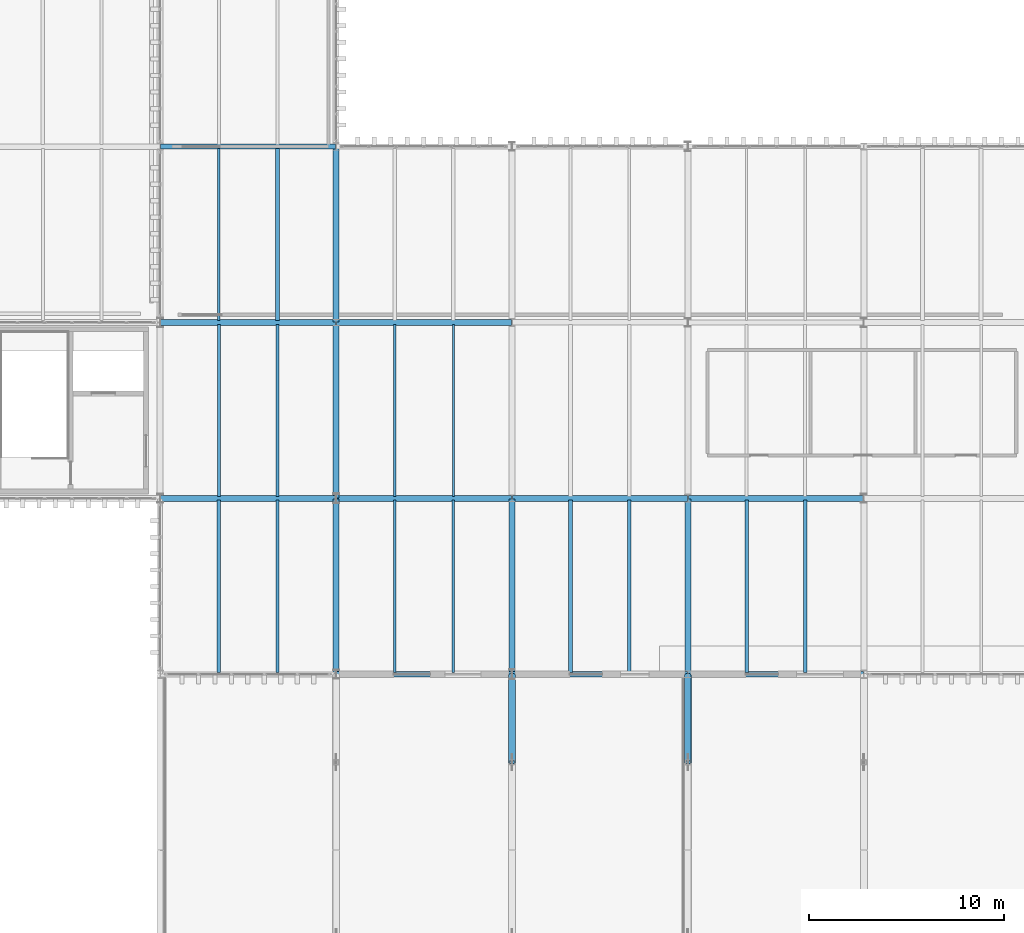
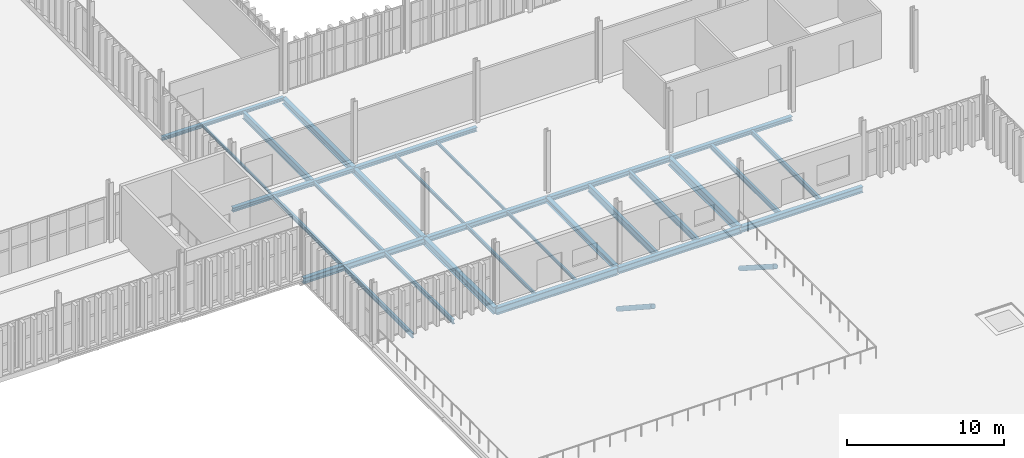
# One storey, part 114 of 196: 29 beams, 2 members.
"""IFC4 building model written with IfcOpenShell, lengths in metres."""

from ifc_helpers import new_model, si_unit, direction, frame, origin, origin_2d, place, context, subcontext, project, spatial, hollow_circle, i_section, extrude, material, material_profile, profile_set, type_object, element, save


model = new_model("IFC4")

# Units and contexts
model_context = context("Model", 3, precision=1e-05, world=origin(), true_north=direction((0.0, 1.0)))
body_context = subcontext(model_context, "Body", "Model", "MODEL_VIEW")
ifc_project = project(units=[si_unit("LENGTHUNIT", "METRE"), si_unit("AREAUNIT", "SQUARE_METRE"), si_unit("VOLUMEUNIT", "CUBIC_METRE"), si_unit("PLANEANGLEUNIT", "RADIAN"), si_unit("MASSUNIT", "GRAM", prefix="KILO")], contexts=[model_context])

# Site, building, storey
site_placement = place(None, origin())
site = spatial("IfcSite", under=ifc_project, at=site_placement, CompositionType="ELEMENT")
building_placement = place(site_placement, origin())
building = spatial("IfcBuilding", under=site, at=building_placement, Name="Barlavento Convention Centre", CompositionType="ELEMENT")
storey_placement = place(building_placement, frame((0.0, 0.0, 18.0)))
storey = spatial("IfcBuildingStorey", under=building, at=storey_placement, Name="L03", CompositionType="ELEMENT", Elevation=18.0)

# Beams
ifc_material = material(Name="Steel S355", Category="steel")
ifc_material_profile_1 = material_profile(ifc_material, i_section(OverallWidth=0.110107421875, OverallDepth=0.219970703125, WebThickness=0.005859375, FlangeThickness=0.00927734375, FilletRadius=0.011962890625, at=origin_2d()), Name="IPE 220")
ifc_profile_set_1 = profile_set([ifc_material_profile_1], Name="Steel S355")
beam_type_1 = type_object("IfcBeamType", Name="STR-BM-JST-IPE220", PredefinedType="JOIST", material=ifc_profile_set_1)
for number, where, z_axis, x_axis, name in (
    (1, (141.0, 45.094970703125, -0.5), (0.0, 1.0, 0.0), (-1.0, 0.0, 0.0), "L03 composite floor joist SJ10"),
    (2, (129.0, 54.094970703125, -0.5), (0.0, 1.0, 0.0), (-1.0, 0.0, 0.0), "L03 composite floor joist SJ10"),
):
    element("IfcBeam", number, at=place(storey_placement, frame(where, z_axis=z_axis, x_axis=x_axis)), inside=storey, type_object=beam_type_1, Name=name, PredefinedType="JOIST", context=body_context, shape_type="SweptSolid", body=[
        extrude(i_section(OverallWidth=0.110107421875, OverallDepth=0.219970703125, WebThickness=0.005859375, FlangeThickness=0.00927734375, FilletRadius=0.011962890625, at=origin_2d()), origin(), (0.0, 0.0, 1.0), 8.81005859375),
    ])
ifc_material_profile_2 = material_profile(ifc_material, i_section(OverallWidth=0.1201171875, OverallDepth=0.239990234375, WebThickness=0.006103515625, FlangeThickness=0.009765625, FilletRadius=0.014892578125, at=origin_2d()), Name="IPE 240")
ifc_profile_set_2 = profile_set([ifc_material_profile_2], Name="Steel S355")
beam_type_2 = type_object("IfcBeamType", Name="STR-BM-JST-IPE240", PredefinedType="JOIST", material=ifc_profile_set_2)
for number, where, z_axis, x_axis, name in (
    (3, (141.0, 36.094970703125, -0.510009765625), (0.0, 1.0, 0.0), (-1.0, 0.0, 0.0), "L03 composite floor joist SJ09"),
    (4, (138.0, 45.094970703125, -0.510009765625), (0.0, 1.0, 0.0), (-1.0, 0.0, 0.0), "L03 composite floor joist SJ09"),
):
    element("IfcBeam", number, at=place(storey_placement, frame(where, z_axis=z_axis, x_axis=x_axis)), inside=storey, type_object=beam_type_2, Name=name, PredefinedType="JOIST", context=body_context, shape_type="SweptSolid", body=[
        extrude(i_section(OverallWidth=0.1201171875, OverallDepth=0.239990234375, WebThickness=0.006103515625, FlangeThickness=0.009765625, FilletRadius=0.014892578125, at=origin_2d()), origin(), (0.0, 0.0, 1.0), 8.81005859375),
    ])
ifc_material_profile_3 = material_profile(ifc_material, i_section(OverallWidth=0.135009765625, OverallDepth=0.27001953125, WebThickness=0.006591796875, FlangeThickness=0.01025390625, FilletRadius=0.014892578125, at=origin_2d()), Name="IPE 270")
ifc_profile_set_3 = profile_set([ifc_material_profile_3], Name="Steel S355")
beam_type_3 = type_object("IfcBeamType", Name="STR-BM-JST-IPE270", PredefinedType="JOIST", material=ifc_profile_set_3)
beam_1_placement = place(storey_placement, frame((138.0, 36.094970703125, -0.52490234375), z_axis=(0.0, 1.0, 0.0), x_axis=(-1.0, 0.0, 0.0)))
element("IfcBeam", 5, at=beam_1_placement, inside=storey, type_object=beam_type_3, Name="L03 composite floor joist SJ08", PredefinedType="JOIST", context=body_context, shape_type="SweptSolid", body=[
    extrude(i_section(OverallWidth=0.135009765625, OverallDepth=0.27001953125, WebThickness=0.006591796875, FlangeThickness=0.01025390625, FilletRadius=0.014892578125, at=origin_2d()), origin(), (0.0, 0.0, 1.0), 8.81005859375),
])
ifc_material_profile_4 = material_profile(ifc_material, i_section(OverallWidth=0.14990234375, OverallDepth=0.300048828125, WebThickness=0.007080078125, FlangeThickness=0.0107421875, FilletRadius=0.014892578125, at=origin_2d()), Name="IPE 300")
ifc_profile_set_4 = profile_set([ifc_material_profile_4], Name="Steel S355")
beam_type_4 = type_object("IfcBeamType", Name="STR-BM-JST-IPE300", PredefinedType="JOIST", material=ifc_profile_set_4)
beam_2_placement = place(storey_placement, frame((132.0, 45.094970703125, -0.5400390625), z_axis=(0.0, 1.0, 0.0), x_axis=(-1.0, 0.0, 0.0)))
element("IfcBeam", 6, at=beam_2_placement, inside=storey, type_object=beam_type_4, Name="L03 composite floor joist SJ07", PredefinedType="JOIST", context=body_context, shape_type="SweptSolid", body=[
    extrude(i_section(OverallWidth=0.14990234375, OverallDepth=0.300048828125, WebThickness=0.007080078125, FlangeThickness=0.0107421875, FilletRadius=0.014892578125, at=origin_2d()), origin(), (0.0, 0.0, 1.0), 8.81005859375),
])
ifc_material_profile_5 = material_profile(ifc_material, i_section(OverallWidth=0.159912109375, OverallDepth=0.330078125, WebThickness=0.007568359375, FlangeThickness=0.011474609375, FilletRadius=0.01806640625, at=origin_2d()), Name="IPE 330")
ifc_profile_set_5 = profile_set([ifc_material_profile_5], Name="Steel S355")
beam_type_5 = type_object("IfcBeamType", Name="STR-BM-JST-IPE330", PredefinedType="JOIST", material=ifc_profile_set_5)
for number, where, z_axis, x_axis, name in (
    (7, (132.0, 36.094970703125, -0.554931640625), (0.0, 1.0, 0.0), (-1.0, 0.0, 0.0), "L03 composite floor joist SJ06"),
    (8, (129.0, 45.094970703125, -0.554931640625), (0.0, 1.0, 0.0), (-1.0, 0.0, 0.0), "L03 composite floor joist SJ06"),
):
    element("IfcBeam", number, at=place(storey_placement, frame(where, z_axis=z_axis, x_axis=x_axis)), inside=storey, type_object=beam_type_5, Name=name, PredefinedType="JOIST", context=body_context, shape_type="SweptSolid", body=[
        extrude(i_section(OverallWidth=0.159912109375, OverallDepth=0.330078125, WebThickness=0.007568359375, FlangeThickness=0.011474609375, FilletRadius=0.01806640625, at=origin_2d()), origin(), (0.0, 0.0, 1.0), 8.81005859375),
    ])
ifc_material_profile_6 = material_profile(ifc_material, i_section(OverallWidth=0.169921875, OverallDepth=0.360107421875, WebThickness=0.008056640625, FlangeThickness=0.0126953125, FilletRadius=0.01806640625, at=origin_2d()), Name="IPE 360")
ifc_profile_set_6 = profile_set([ifc_material_profile_6], Name="Steel S355")
beam_type_6 = type_object("IfcBeamType", Name="STR-BM-JST-IPE360", PredefinedType="JOIST", material=ifc_profile_set_6)
for number, where, z_axis, x_axis, name in (
    (9, (129.0, 36.094970703125, -0.570068359375), (0.0, 1.0, 0.0), (-1.0, 0.0, 0.0), "L03 composite floor joist SJ05"),
    (10, (159.0, 36.094970703125, -0.570068359375), (0.0, 1.0, 0.0), (-1.0, 0.0, 0.0), "L03 composite floor joist SJ05"),
):
    element("IfcBeam", number, at=place(storey_placement, frame(where, z_axis=z_axis, x_axis=x_axis)), inside=storey, type_object=beam_type_6, Name=name, PredefinedType="JOIST", context=body_context, shape_type="SweptSolid", body=[
        extrude(i_section(OverallWidth=0.169921875, OverallDepth=0.360107421875, WebThickness=0.008056640625, FlangeThickness=0.0126953125, FilletRadius=0.01806640625, at=origin_2d()), origin(), (0.0, 0.0, 1.0), 8.81005859375),
    ])
ifc_material_profile_7 = material_profile(ifc_material, i_section(OverallWidth=0.179931640625, OverallDepth=0.39990234375, WebThickness=0.008544921875, FlangeThickness=0.013427734375, FilletRadius=0.02099609375, at=origin_2d()), Name="IPE 400")
ifc_profile_set_7 = profile_set([ifc_material_profile_7], Name="Steel S355")
beam_type_7 = type_object("IfcBeamType", Name="STR-BM-JST-IPE400", PredefinedType="JOIST", material=ifc_profile_set_7)
beam_3_placement = place(storey_placement, frame((156.0, 36.094970703125, -0.590087890625), z_axis=(0.0, 1.0, 0.0), x_axis=(-1.0, 0.0, 0.0)))
element("IfcBeam", 11, at=beam_3_placement, inside=storey, type_object=beam_type_7, Name="L03 composite floor joist SJ04", PredefinedType="JOIST", context=body_context, shape_type="SweptSolid", body=[
    extrude(i_section(OverallWidth=0.179931640625, OverallDepth=0.39990234375, WebThickness=0.008544921875, FlangeThickness=0.013427734375, FilletRadius=0.02099609375, at=origin_2d()), origin(), (0.0, 0.0, 1.0), 8.81005859375),
])
ifc_material_profile_8 = material_profile(ifc_material, i_section(OverallWidth=0.199951171875, OverallDepth=0.5, WebThickness=0.01025390625, FlangeThickness=0.01611328125, FilletRadius=0.02099609375, at=origin_2d()), Name="IPE 500")
ifc_profile_set_8 = profile_set([ifc_material_profile_8], Name="Steel S355")
beam_type_8 = type_object("IfcBeamType", Name="STR-BM-JST-IPE500", PredefinedType="JOIST", material=ifc_profile_set_8)
beam_4_placement = place(storey_placement, frame((150.0, 36.094970703125, -0.639892578125), z_axis=(0.0, 1.0, 0.0), x_axis=(-1.0, 0.0, 0.0)))
element("IfcBeam", 12, at=beam_4_placement, inside=storey, type_object=beam_type_8, Name="L03 composite floor joist SJ02", PredefinedType="JOIST", context=body_context, shape_type="SweptSolid", body=[
    extrude(i_section(OverallWidth=0.199951171875, OverallDepth=0.5, WebThickness=0.01025390625, FlangeThickness=0.01611328125, FilletRadius=0.02099609375, at=origin_2d()), origin(), (0.0, 0.0, 1.0), 8.81005859375),
])
ifc_material_profile_9 = material_profile(ifc_material, i_section(OverallWidth=0.2099609375, OverallDepth=0.550048828125, WebThickness=0.010986328125, FlangeThickness=0.01708984375, FilletRadius=0.02392578125, at=origin_2d()), Name="IPE 550")
ifc_profile_set_9 = profile_set([ifc_material_profile_9], Name="Steel S355")
beam_type_9 = type_object("IfcBeamType", Name="STR-BM-JST-IPE550", PredefinedType="JOIST", material=ifc_profile_set_9)
for number, where, z_axis, x_axis, name in (
    (13, (147.0, 36.094970703125, -0.6650390625), (0.0, 1.0, 0.0), (-1.0, 0.0, 0.0), "L03 composite floor joist SJ01"),
    (14, (132.0, 54.094970703125, -0.6650390625), (0.0, 1.0, 0.0), (-1.0, 0.0, 0.0), "L03 composite floor joist SJ01"),
):
    element("IfcBeam", number, at=place(storey_placement, frame(where, z_axis=z_axis, x_axis=x_axis)), inside=storey, type_object=beam_type_9, Name=name, PredefinedType="JOIST", context=body_context, shape_type="SweptSolid", body=[
        extrude(i_section(OverallWidth=0.2099609375, OverallDepth=0.550048828125, WebThickness=0.010986328125, FlangeThickness=0.01708984375, FilletRadius=0.02392578125, at=origin_2d()), origin(), (0.0, 0.0, 1.0), 8.81005859375),
    ])
ifc_material_profile_10 = material_profile(ifc_material, i_section(OverallWidth=0.300048828125, OverallDepth=0.389892578125, WebThickness=0.010986328125, FlangeThickness=0.01904296875, FilletRadius=0.027099609375, at=origin_2d()), Name="HEA 400")
ifc_profile_set_10 = profile_set([ifc_material_profile_10], Name="Steel S355")
beam_type_10 = type_object("IfcBeamType", Name="STR-BM-PRI-HEA400", PredefinedType="BEAM", material=ifc_profile_set_10)
beam_5_placement = place(storey_placement, frame((144.0, 36.02001953125, -0.5849609375), z_axis=(0.0, 1.0, 0.0), x_axis=(-1.0, 0.0, 0.0)))
element("IfcBeam", 15, at=beam_5_placement, inside=storey, type_object=beam_type_10, Name="L03 grid girder BG22", PredefinedType="BEAM", context=body_context, shape_type="SweptSolid", body=[
    extrude(i_section(OverallWidth=0.300048828125, OverallDepth=0.389892578125, WebThickness=0.010986328125, FlangeThickness=0.01904296875, FilletRadius=0.027099609375, at=origin_2d()), origin(), (0.0, 0.0, 1.0), 8.9599609375),
])
ifc_material_profile_11 = material_profile(ifc_material, i_section(OverallWidth=0.300048828125, OverallDepth=0.489990234375, WebThickness=0.011962890625, FlangeThickness=0.02294921875, FilletRadius=0.027099609375, at=origin_2d()), Name="HEA 500")
ifc_profile_set_11 = profile_set([ifc_material_profile_11], Name="Steel S355")
beam_type_11 = type_object("IfcBeamType", Name="STR-BM-PRI-HEA500", PredefinedType="BEAM", material=ifc_profile_set_11)
for number, where, z_axis, x_axis, name in (
    (16, (135.0, 45.02001953125, -0.635009765625), (0.0, 1.0, 0.0), (-1.0, 0.0, 0.0), "L03 grid girder BG20"),
    (17, (135.0, 54.02001953125, -0.635009765625), (0.0, 1.0, 0.0), (-1.0, 0.0, 0.0), "L03 grid girder BG20"),
):
    element("IfcBeam", number, at=place(storey_placement, frame(where, z_axis=z_axis, x_axis=x_axis)), inside=storey, type_object=beam_type_11, Name=name, PredefinedType="BEAM", context=body_context, shape_type="SweptSolid", body=[
        extrude(i_section(OverallWidth=0.300048828125, OverallDepth=0.489990234375, WebThickness=0.011962890625, FlangeThickness=0.02294921875, FilletRadius=0.027099609375, at=origin_2d()), origin(), (0.0, 0.0, 1.0), 8.9599609375),
    ])
ifc_material_profile_12 = material_profile(ifc_material, i_section(OverallWidth=0.300048828125, OverallDepth=0.5400390625, WebThickness=0.012451171875, FlangeThickness=0.02392578125, FilletRadius=0.027099609375, at=origin_2d()), Name="HEA 550")
ifc_profile_set_12 = profile_set([ifc_material_profile_12], Name="Steel S355")
beam_type_12 = type_object("IfcBeamType", Name="STR-BM-PRI-HEA550", PredefinedType="BEAM", material=ifc_profile_set_12)
beam_6_placement = place(storey_placement, frame((135.0, 36.02001953125, -0.659912109375), z_axis=(0.0, 1.0, 0.0), x_axis=(-1.0, 0.0, 0.0)))
element("IfcBeam", 18, at=beam_6_placement, inside=storey, type_object=beam_type_12, Name="L03 grid girder BG19", PredefinedType="BEAM", context=body_context, shape_type="SweptSolid", body=[
    extrude(i_section(OverallWidth=0.300048828125, OverallDepth=0.5400390625, WebThickness=0.012451171875, FlangeThickness=0.02392578125, FilletRadius=0.027099609375, at=origin_2d()), origin(), (0.0, 0.0, 1.0), 8.9599609375),
])
ifc_material_profile_13 = material_profile(ifc_material, i_section(OverallWidth=0.300048828125, OverallDepth=0.639892578125, WebThickness=0.013427734375, FlangeThickness=0.02587890625, FilletRadius=0.027099609375, at=origin_2d()), Name="HEA 650")
ifc_profile_set_13 = profile_set([ifc_material_profile_13], Name="Steel S355")
beam_type_13 = type_object("IfcBeamType", Name="STR-BM-PRI-HEA650", PredefinedType="BEAM", material=ifc_profile_set_13)
beam_7_placement = place(storey_placement, frame((153.0, 36.02001953125, -0.7099609375), z_axis=(0.0, 1.0, 0.0), x_axis=(-1.0, 0.0, 0.0)))
element("IfcBeam", 19, at=beam_7_placement, inside=storey, type_object=beam_type_13, Name="L03 grid girder BG17", PredefinedType="BEAM", context=body_context, shape_type="SweptSolid", body=[
    extrude(i_section(OverallWidth=0.300048828125, OverallDepth=0.639892578125, WebThickness=0.013427734375, FlangeThickness=0.02587890625, FilletRadius=0.027099609375, at=origin_2d()), origin(), (0.0, 0.0, 1.0), 8.9599609375),
])
ifc_material_profile_14 = material_profile(ifc_material, i_section(OverallWidth=0.260009765625, OverallDepth=0.260009765625, WebThickness=0.010009765625, FlangeThickness=0.017578125, FilletRadius=0.02392578125, at=origin_2d()), Name="HEB 260")
ifc_profile_set_14 = profile_set([ifc_material_profile_14], Name="Steel S355")
beam_type_14 = type_object("IfcBeamType", Name="STR-BM-PRI-HEB260", PredefinedType="BEAM", material=ifc_profile_set_14)
beam_8_placement = place(storey_placement, frame((126.02001953125, 63.0, -0.489990234375), z_axis=(1.0, 0.0, 0.0), x_axis=(0.0, 1.0, 0.0)))
element("IfcBeam", 20, at=beam_8_placement, inside=storey, type_object=beam_type_14, Name="L03 primary girder BG16", PredefinedType="BEAM", context=body_context, shape_type="SweptSolid", body=[
    extrude(i_section(OverallWidth=0.260009765625, OverallDepth=0.260009765625, WebThickness=0.010009765625, FlangeThickness=0.017578125, FilletRadius=0.02392578125, at=origin_2d()), origin(), (0.0, 0.0, 1.0), 8.9599609375),
])
ifc_material_profile_15 = material_profile(ifc_material, i_section(OverallWidth=0.300048828125, OverallDepth=0.300048828125, WebThickness=0.010986328125, FlangeThickness=0.01904296875, FilletRadius=0.027099609375, at=origin_2d()), Name="HEB 300")
ifc_profile_set_15 = profile_set([ifc_material_profile_15], Name="Steel S355")
beam_type_15 = type_object("IfcBeamType", Name="STR-BM-PRI-HEB300", PredefinedType="BEAM", material=ifc_profile_set_15)
beam_9_placement = place(storey_placement, frame((135.02001953125, 54.0, -0.5400390625), z_axis=(1.0, 0.0, 0.0), x_axis=(0.0, 1.0, 0.0)))
element("IfcBeam", 21, at=beam_9_placement, inside=storey, type_object=beam_type_15, Name="L03 primary girder BG14", PredefinedType="BEAM", context=body_context, shape_type="SweptSolid", body=[
    extrude(i_section(OverallWidth=0.300048828125, OverallDepth=0.300048828125, WebThickness=0.010986328125, FlangeThickness=0.01904296875, FilletRadius=0.027099609375, at=origin_2d()), origin(), (0.0, 0.0, 1.0), 8.9599609375),
])
ifc_material_profile_16 = material_profile(ifc_material, i_section(OverallWidth=0.300048828125, OverallDepth=0.320068359375, WebThickness=0.011474609375, FlangeThickness=0.0205078125, FilletRadius=0.027099609375, at=origin_2d()), Name="HEB 320")
ifc_profile_set_16 = profile_set([ifc_material_profile_16], Name="Steel S355")
beam_type_16 = type_object("IfcBeamType", Name="STR-BM-PRI-HEB320", PredefinedType="BEAM", material=ifc_profile_set_16)
for number, where, z_axis, x_axis, name in (
    (22, (153.02001953125, 45.0, -0.550048828125), (1.0, 0.0, 0.0), (0.0, 1.0, 0.0), "L03 primary girder BG13"),
    (23, (126.02001953125, 54.0, -0.550048828125), (1.0, 0.0, 0.0), (0.0, 1.0, 0.0), "L03 primary girder BG13"),
):
    element("IfcBeam", number, at=place(storey_placement, frame(where, z_axis=z_axis, x_axis=x_axis)), inside=storey, type_object=beam_type_16, Name=name, PredefinedType="BEAM", context=body_context, shape_type="SweptSolid", body=[
        extrude(i_section(OverallWidth=0.300048828125, OverallDepth=0.320068359375, WebThickness=0.011474609375, FlangeThickness=0.0205078125, FilletRadius=0.027099609375, at=origin_2d()), origin(), (0.0, 0.0, 1.0), 8.9599609375),
    ])
ifc_material_profile_17 = material_profile(ifc_material, i_section(OverallWidth=0.300048828125, OverallDepth=0.360107421875, WebThickness=0.012451171875, FlangeThickness=0.0224609375, FilletRadius=0.027099609375, at=origin_2d()), Name="HEB 360")
ifc_profile_set_17 = profile_set([ifc_material_profile_17], Name="Steel S355")
beam_type_17 = type_object("IfcBeamType", Name="STR-BM-PRI-HEB360", PredefinedType="BEAM", material=ifc_profile_set_17)
beam_10_placement = place(storey_placement, frame((144.02001953125, 45.0, -0.570068359375), z_axis=(1.0, 0.0, 0.0), x_axis=(0.0, 1.0, 0.0)))
element("IfcBeam", 24, at=beam_10_placement, inside=storey, type_object=beam_type_17, Name="L03 primary girder BG12", PredefinedType="BEAM", context=body_context, shape_type="SweptSolid", body=[
    extrude(i_section(OverallWidth=0.300048828125, OverallDepth=0.360107421875, WebThickness=0.012451171875, FlangeThickness=0.0224609375, FilletRadius=0.027099609375, at=origin_2d()), origin(), (0.0, 0.0, 1.0), 8.9599609375),
])
ifc_material_profile_18 = material_profile(ifc_material, i_section(OverallWidth=0.300048828125, OverallDepth=0.39990234375, WebThickness=0.013427734375, FlangeThickness=0.02392578125, FilletRadius=0.027099609375, at=origin_2d()), Name="HEB 400")
ifc_profile_set_18 = profile_set([ifc_material_profile_18], Name="Steel S355")
beam_type_18 = type_object("IfcBeamType", Name="STR-BM-PRI-HEB400", PredefinedType="BEAM", material=ifc_profile_set_18)
beam_11_placement = place(storey_placement, frame((135.02001953125, 45.0, -0.590087890625), z_axis=(1.0, 0.0, 0.0), x_axis=(0.0, 1.0, 0.0)))
element("IfcBeam", 25, at=beam_11_placement, inside=storey, type_object=beam_type_18, Name="L03 primary girder BG11", PredefinedType="BEAM", context=body_context, shape_type="SweptSolid", body=[
    extrude(i_section(OverallWidth=0.300048828125, OverallDepth=0.39990234375, WebThickness=0.013427734375, FlangeThickness=0.02392578125, FilletRadius=0.027099609375, at=origin_2d()), origin(), (0.0, 0.0, 1.0), 8.9599609375),
])
ifc_material_profile_19 = material_profile(ifc_material, i_section(OverallWidth=0.300048828125, OverallDepth=0.449951171875, WebThickness=0.013916015625, FlangeThickness=0.02587890625, FilletRadius=0.027099609375, at=origin_2d()), Name="HEB 450")
ifc_profile_set_19 = profile_set([ifc_material_profile_19], Name="Steel S355")
beam_type_19 = type_object("IfcBeamType", Name="STR-BM-PRI-HEB450", PredefinedType="BEAM", material=ifc_profile_set_19)
for number, where, z_axis, x_axis, name in (
    (26, (153.02001953125, 36.0, -0.614990234375), (1.0, 0.0, 0.0), (0.0, 1.0, 0.0), "L03 primary girder BG10"),
    (27, (126.02001953125, 45.0, -0.614990234375), (1.0, 0.0, 0.0), (0.0, 1.0, 0.0), "L03 primary girder BG10"),
):
    element("IfcBeam", number, at=place(storey_placement, frame(where, z_axis=z_axis, x_axis=x_axis)), inside=storey, type_object=beam_type_19, Name=name, PredefinedType="BEAM", context=body_context, shape_type="SweptSolid", body=[
        extrude(i_section(OverallWidth=0.300048828125, OverallDepth=0.449951171875, WebThickness=0.013916015625, FlangeThickness=0.02587890625, FilletRadius=0.027099609375, at=origin_2d()), origin(), (0.0, 0.0, 1.0), 8.9599609375),
    ])
ifc_material_profile_20 = material_profile(ifc_material, i_section(OverallWidth=0.300048828125, OverallDepth=0.5, WebThickness=0.014404296875, FlangeThickness=0.028076171875, FilletRadius=0.027099609375, at=origin_2d()), Name="HEB 500")
ifc_profile_set_20 = profile_set([ifc_material_profile_20], Name="Steel S355")
beam_type_20 = type_object("IfcBeamType", Name="STR-BM-PRI-HEB500", PredefinedType="BEAM", material=ifc_profile_set_20)
beam_12_placement = place(storey_placement, frame((144.02001953125, 36.0, -0.639892578125), z_axis=(1.0, 0.0, 0.0), x_axis=(0.0, 1.0, 0.0)))
element("IfcBeam", 28, at=beam_12_placement, inside=storey, type_object=beam_type_20, Name="L03 primary girder BG09", PredefinedType="BEAM", context=body_context, shape_type="SweptSolid", body=[
    extrude(i_section(OverallWidth=0.300048828125, OverallDepth=0.5, WebThickness=0.014404296875, FlangeThickness=0.028076171875, FilletRadius=0.027099609375, at=origin_2d()), origin(), (0.0, 0.0, 1.0), 8.9599609375),
])
ifc_material_profile_21 = material_profile(ifc_material, i_section(OverallWidth=0.300048828125, OverallDepth=0.550048828125, WebThickness=0.014892578125, FlangeThickness=0.029052734375, FilletRadius=0.027099609375, at=origin_2d()), Name="HEB 550")
ifc_profile_set_21 = profile_set([ifc_material_profile_21], Name="Steel S355")
beam_type_21 = type_object("IfcBeamType", Name="STR-BM-PRI-HEB550", PredefinedType="BEAM", material=ifc_profile_set_21)
beam_13_placement = place(storey_placement, frame((135.02001953125, 36.0, -0.6650390625), z_axis=(1.0, 0.0, 0.0), x_axis=(0.0, 1.0, 0.0)))
element("IfcBeam", 29, at=beam_13_placement, inside=storey, type_object=beam_type_21, Name="L03 primary girder BG08", PredefinedType="BEAM", context=body_context, shape_type="SweptSolid", body=[
    extrude(i_section(OverallWidth=0.300048828125, OverallDepth=0.550048828125, WebThickness=0.014892578125, FlangeThickness=0.029052734375, FilletRadius=0.027099609375, at=origin_2d()), origin(), (0.0, 0.0, 1.0), 8.9599609375),
])

# Members
ifc_material_profile_22 = material_profile(ifc_material, hollow_circle(Radius=0.177734375, WallThickness=0.01611328125, at=origin_2d()), Name="CHS 355.6x16.0")
ifc_profile_set_22 = profile_set([ifc_material_profile_22], Name="Steel S355")
member_type = type_object("IfcMemberType", Name="STR-MEM-CHD-CHS355", PredefinedType="CHORD", material=ifc_profile_set_22)
member_1_placement = place(storey_placement, frame((144.0, 31.5, -0.748046875), z_axis=(0.0, 0.837635280433, -0.5462299305), x_axis=(-1.0, 0.0, 0.0)))
element("IfcMember", 30, at=member_1_placement, inside=storey, type_object=member_type, Name="Ballroom transfer truss diagonal TC01", PredefinedType="CHORD", context=body_context, shape_type="SweptSolid", body=[
    extrude(hollow_circle(Radius=0.177734375, WallThickness=0.01611328125, at=origin_2d()), origin(), (0.0, 0.0, 1.0), 5.3125),
])
member_2_placement = place(storey_placement, frame((153.0, 31.5, -0.797119140625), z_axis=(0.0, 0.841857615744, -0.53969968947), x_axis=(-1.0, 0.0, 0.0)))
element("IfcMember", 31, at=member_2_placement, inside=storey, type_object=member_type, Name="Ballroom transfer truss diagonal TC01", PredefinedType="CHORD", context=body_context, shape_type="SweptSolid", body=[
    extrude(hollow_circle(Radius=0.177734375, WallThickness=0.01611328125, at=origin_2d()), origin(), (0.0, 0.0, 1.0), 5.285888671875),
])

save(model, "model.ifc")
